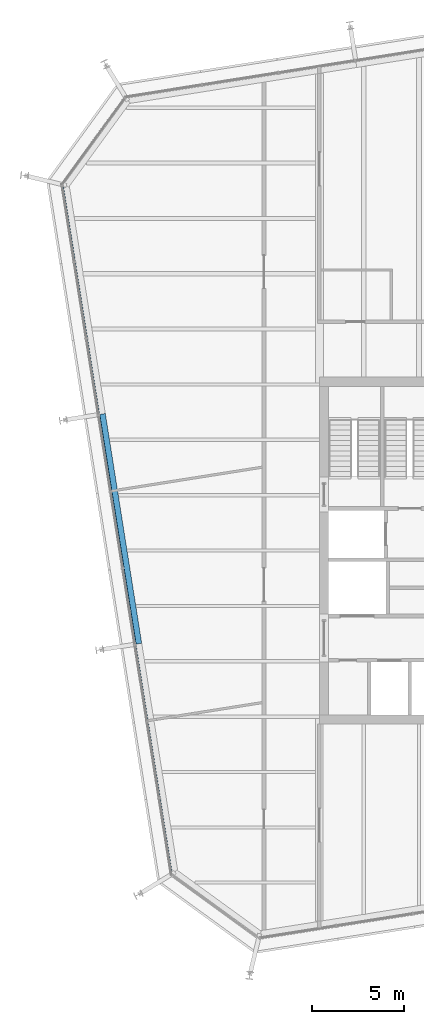
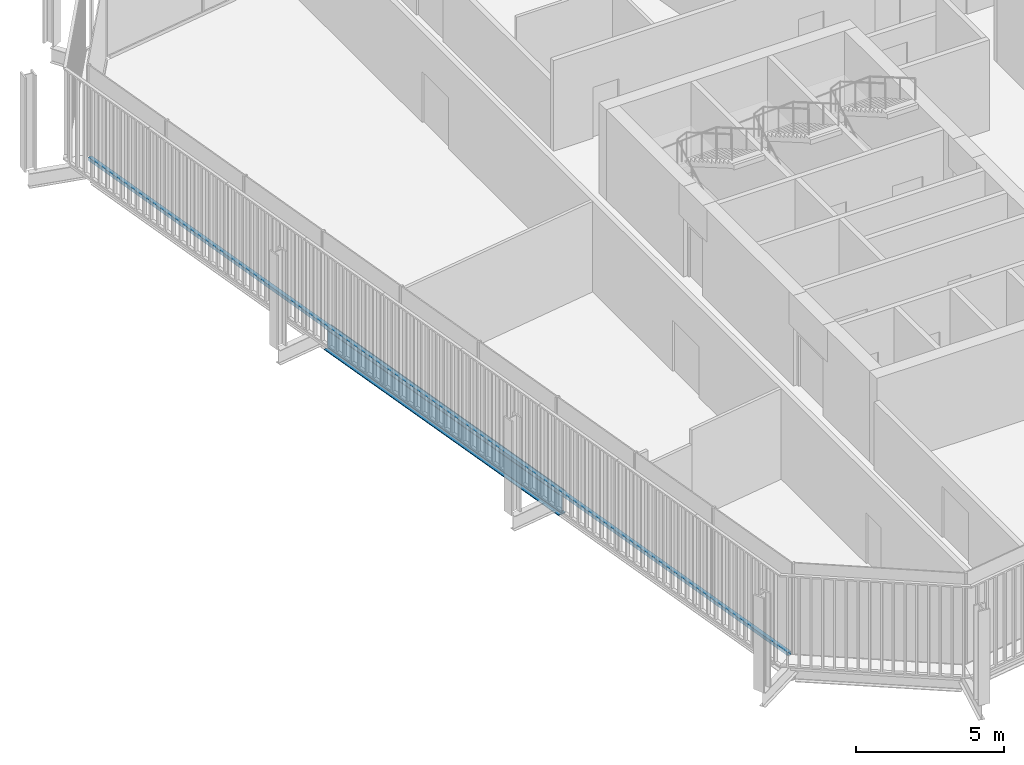
# One storey, part 5 of 20: 1 beam, 1 member, 1 element without a shape of its own.
"""IFC4 building model written with IfcOpenShell, lengths in metres."""

from ifc_helpers import new_model, si_unit, direction, frame, origin, origin_2d, place, context, subcontext, project, spatial, rectangle, i_section, extrude, material, layer, layer_set, material_profile, profile_set, type_object, element, aggregate, save


model = new_model("IFC4")

# Units and contexts
model_context = context("Model", 3, precision=1e-05, world=origin(), true_north=direction((0.0, 1.0)))
body_context = subcontext(model_context, "Body", "Model", "MODEL_VIEW")
ifc_project = project(units=[si_unit("LENGTHUNIT", "METRE"), si_unit("AREAUNIT", "SQUARE_METRE"), si_unit("VOLUMEUNIT", "CUBIC_METRE"), si_unit("PLANEANGLEUNIT", "RADIAN"), si_unit("MASSUNIT", "GRAM", prefix="KILO")], contexts=[model_context])

# Site, building, storey
site_placement = place(None, origin())
site = spatial("IfcSite", under=ifc_project, at=site_placement, CompositionType="ELEMENT")
building_placement = place(site_placement, origin())
building = spatial("IfcBuilding", under=site, at=building_placement, Name="Millrace Tower", CompositionType="ELEMENT")
storey_placement = place(building_placement, frame((0.0, 0.0, 208.60009765625)))
storey = spatial("IfcBuildingStorey", under=building, at=storey_placement, Name="L47", CompositionType="ELEMENT", Elevation=208.60009765625)

# Curtain wall, member
ifc_material_1 = material(Name="Aluminium and glass", Category="aluminium")
ifc_layer = layer(ifc_material_1, 0.14990234375)
ifc_layer_set = layer_set([ifc_layer], Name="Aluminium and glass")
curtain_wall_type = type_object("IfcCurtainWallType", Name="CW-1 office vision curtain wall", PredefinedType="NOTDEFINED", material=ifc_layer_set)
curtain_wall_placement = place(storey_placement, origin())
curtain_wall = element("IfcCurtainWall", 1, at=curtain_wall_placement, inside=storey, type_object=curtain_wall_type, Name="Curtain wall D-F08 L47", PredefinedType="NOTDEFINED")
ifc_material_2 = material(Name="Aluminium", Category="aluminium")
ifc_material_profile_1 = material_profile(ifc_material_2, rectangle(XDim=0.14990234375, YDim=0.139892578125, at=origin_2d()))
ifc_profile_set_1 = profile_set([ifc_material_profile_1], Name="Aluminium")
member_type = type_object("IfcMemberType", Name="CW-1 office vision curtain wall transom", PredefinedType="USERDEFINED", material=ifc_profile_set_1)
member_placement = place(storey_placement, frame((-28.331787109375, 19.708740234375, 0.06982421875), z_axis=(0.156432359726, -0.987688674042, 0.0), x_axis=(0.987688674042, 0.156432359726, 0.0)))
member = element("IfcMember", 2, at=member_placement, type_object=member_type, Name="CW1 transom D-F08.1", ObjectType="TRANSOM", PredefinedType="USERDEFINED", context=body_context, shape_type="SweptSolid", body=[
    extrude(rectangle(XDim=0.14990234375, YDim=0.139892578125, at=origin_2d()), origin(), (0.0, 0.0, 1.0), 37.599853515625),
])
aggregate(curtain_wall, [member])

# Beam
ifc_material_3 = material(Name="Steel ASTM A992 Grade 50", Category="steel")
ifc_material_profile_2 = material_profile(ifc_material_3, i_section(OverallWidth=0.307373046875, OverallDepth=0.927001953125, WebThickness=0.01953125, FlangeThickness=0.031982421875, FilletRadius=0.01904296875, at=origin_2d()))
ifc_profile_set_2 = profile_set([ifc_material_profile_2], Name="Steel ASTM A992 Grade 50")
beam_type = type_object("IfcBeamType", Name="Ring beam medium span W36x194", PredefinedType="SPANDREL", material=ifc_profile_set_2)
beam_placement = place(storey_placement, frame((-24.179443359375, -5.04638671875, -0.62353515625), z_axis=(-0.1564441342, 0.987686809102, 0.0), x_axis=(-0.987686809102, -0.1564441342, 0.0)))
element("IfcBeam", 3, at=beam_placement, inside=storey, type_object=beam_type, Name="RNG-D-L47-S1-02", PredefinedType="SPANDREL", context=body_context, shape_type="SweptSolid", body=[
    extrude(i_section(OverallWidth=0.307373046875, OverallDepth=0.927001953125, WebThickness=0.01953125, FlangeThickness=0.031982421875, FilletRadius=0.01904296875, at=origin_2d()), origin(), (0.0, 0.0, 1.0), 12.599853515625),
])

save(model, "model.ifc")
